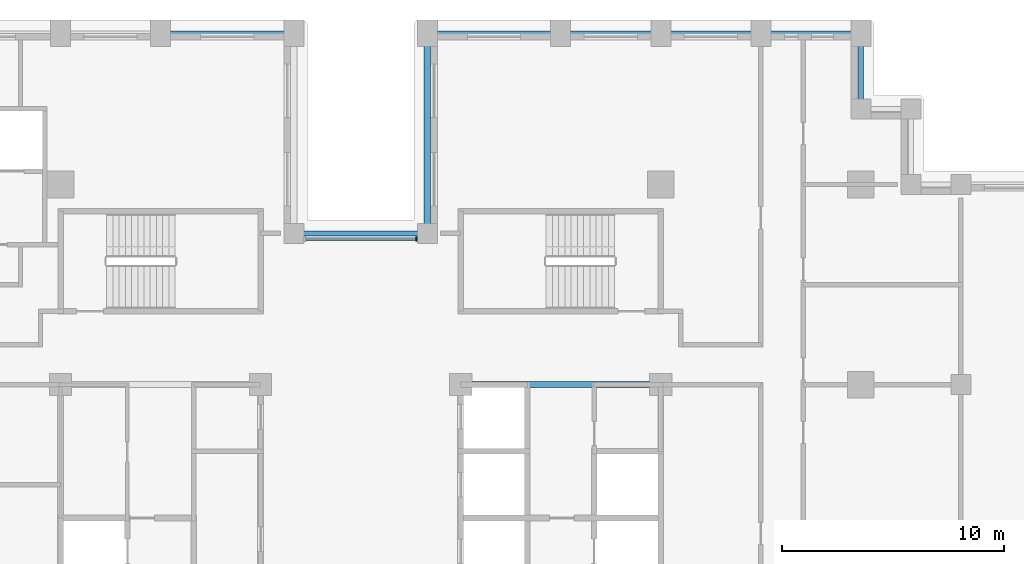
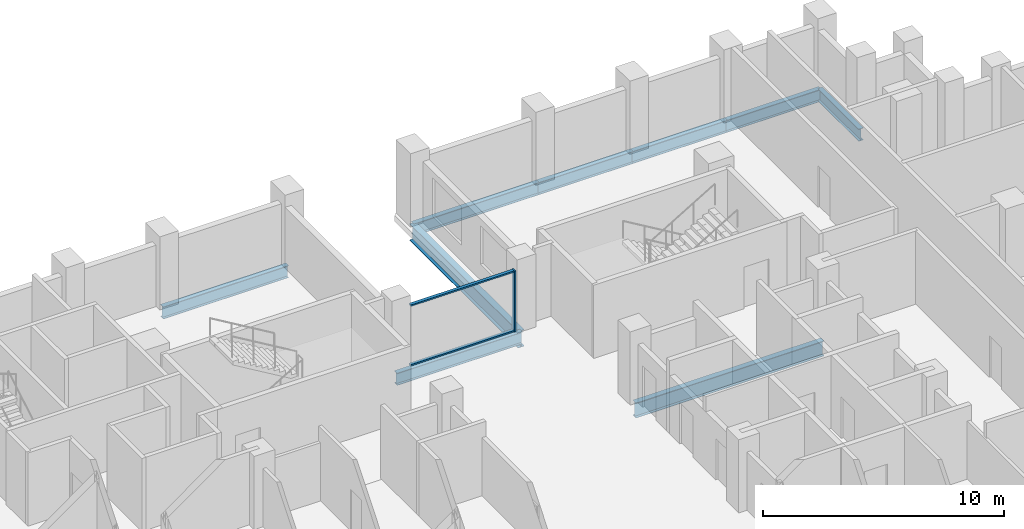
# One storey, part 4 of 15: 9 beams, 3 members, 1 element without a shape of its own.
"""IFC4 building model written with IfcOpenShell, lengths in metres."""

from ifc_helpers import new_model, si_unit, direction, frame, origin, origin_2d, place, context, subcontext, project, spatial, rectangle, i_section, extrude, material, layer, layer_set, material_profile, profile_set, type_object, element, aggregate, save


model = new_model("IFC4")

# Units and contexts
model_context = context("Model", 3, precision=1e-05, world=origin(), true_north=direction((0.0, 1.0)))
body_context = subcontext(model_context, "Body", "Model", "MODEL_VIEW")
ifc_project = project(units=[si_unit("LENGTHUNIT", "METRE"), si_unit("AREAUNIT", "SQUARE_METRE"), si_unit("VOLUMEUNIT", "CUBIC_METRE"), si_unit("PLANEANGLEUNIT", "RADIAN"), si_unit("MASSUNIT", "GRAM", prefix="KILO")], contexts=[model_context])

# Site, building, storey
site_placement = place(None, origin())
site = spatial("IfcSite", under=ifc_project, at=site_placement, CompositionType="ELEMENT")
building_placement = place(site_placement, origin())
building = spatial("IfcBuilding", under=site, at=building_placement, Name="Corbelhall Arena Tower", CompositionType="ELEMENT")
storey_placement = place(building_placement, frame((0.0, 0.0, 100.0)))
storey = spatial("IfcBuildingStorey", under=building, at=storey_placement, Name="L17", CompositionType="ELEMENT", Elevation=100.0)

# Curtain wall, members
ifc_material_1 = material(Name="Aluminium black anodised", Category="aluminium")
ifc_layer = layer(ifc_material_1, 0.199951171875)
ifc_layer_set = layer_set([ifc_layer], Name="EV-CW1 Slot back wall")
curtain_wall_type = type_object("IfcCurtainWallType", Name="EV-CW1 Slot back wall", PredefinedType="NOTDEFINED", material=ifc_layer_set)
curtain_wall_placement = place(storey_placement, origin())
curtain_wall = element("IfcCurtainWall", 1, at=curtain_wall_placement, inside=storey, type_object=curtain_wall_type, Name="Curtain wall CW1", PredefinedType="NOTDEFINED")
ifc_material_profile_1 = material_profile(ifc_material_1, rectangle(XDim=0.199951171875, YDim=0.074951171875, at=origin_2d()))
ifc_profile_set_1 = profile_set([ifc_material_profile_1], Name="Aluminium black anodised")
member_type_1 = type_object("IfcMemberType", Name="EV-CW1-MULLION", PredefinedType="MULLION", material=ifc_profile_set_1)
member_1_placement = place(storey_placement, frame((2.512451171875, 15.550048828125, 0.0), z_axis=(0.0, 0.0, 1.0), x_axis=(0.0, -1.0, 0.0)))
member_1 = element("IfcMember", 2, at=member_1_placement, type_object=member_type_1, Name="CW1 mullion 1", PredefinedType="MULLION", context=body_context, shape_type="SweptSolid", body=[
    extrude(rectangle(XDim=0.199951171875, YDim=0.074951171875, at=origin_2d()), origin(), (0.0, 0.0, 1.0), 3.10009765625),
])
ifc_material_profile_2 = material_profile(ifc_material_1, rectangle(XDim=0.14990234375, YDim=0.074951171875, at=origin_2d()))
ifc_profile_set_2 = profile_set([ifc_material_profile_2], Name="Aluminium black anodised")
member_type_2 = type_object("IfcMemberType", Name="EV-CW1-TRANSOM", PredefinedType="USERDEFINED", material=ifc_profile_set_2)
member_2_placement = place(storey_placement, frame((2.47509765625, 15.550048828125, 0.03759765625), z_axis=(-1.0, 0.0, 0.0), x_axis=(0.0, -1.0, 0.0)))
member_2 = element("IfcMember", 3, at=member_2_placement, type_object=member_type_2, Name="CW1 transom 1.1", ObjectType="transom", PredefinedType="USERDEFINED", context=body_context, shape_type="SweptSolid", body=[
    extrude(rectangle(XDim=0.14990234375, YDim=0.074951171875, at=origin_2d()), origin(), (0.0, 0.0, 1.0), 4.9501953125),
])
member_3_placement = place(storey_placement, frame((2.47509765625, 15.550048828125, 3.0625), z_axis=(-1.0, 0.0, 0.0), x_axis=(0.0, -1.0, 0.0)))
member_3 = element("IfcMember", 4, at=member_3_placement, type_object=member_type_2, Name="CW1 transom 1.2", ObjectType="transom", PredefinedType="USERDEFINED", context=body_context, shape_type="SweptSolid", body=[
    extrude(rectangle(XDim=0.14990234375, YDim=0.074951171875, at=origin_2d()), origin(), (0.0, 0.0, 1.0), 4.9501953125),
])
aggregate(curtain_wall, [member_1, member_2, member_3])

# Beams
ifc_material_2 = material(Name="Steel ASTM A992 Gr50", Category="steel")
ifc_material_profile_3 = material_profile(ifc_material_2, i_section(OverallWidth=0.2666015625, OverallDepth=0.761962890625, WebThickness=0.014404296875, FlangeThickness=0.021484375, at=origin_2d()))
ifc_profile_set_3 = profile_set([ifc_material_profile_3], Name="Steel ASTM A992 Gr50")
beam_type_1 = type_object("IfcBeamType", Name="ST-BEAM-W30x116", PredefinedType="BEAM", material=ifc_profile_set_3)
beam_1_placement = place(storey_placement, frame((4.5, 9.0, -0.680908203125), z_axis=(1.0, 0.0, 0.0), x_axis=(0.0, 1.0, 0.0)))
element("IfcBeam", 5, at=beam_1_placement, inside=storey, type_object=beam_type_1, Name="Beam CEE 12", PredefinedType="BEAM", context=body_context, shape_type="SweptSolid", body=[
    extrude(i_section(OverallWidth=0.2666015625, OverallDepth=0.761962890625, WebThickness=0.014404296875, FlangeThickness=0.021484375, at=origin_2d()), origin(), (0.0, 0.0, 1.0), 9.0),
])
ifc_material_profile_4 = material_profile(ifc_material_2, i_section(OverallWidth=0.23046875, OverallDepth=0.6171875, WebThickness=0.01318359375, FlangeThickness=0.022216796875, at=origin_2d()))
ifc_profile_set_4 = profile_set([ifc_material_profile_4], Name="Steel ASTM A992 Gr50")
beam_type_2 = type_object("IfcBeamType", Name="ST-SPANDREL-W24x94", PredefinedType="SPANDREL", material=ifc_profile_set_4)
beam_2_placement = place(storey_placement, frame((3.0, 24.800048828125, -0.608642578125), z_axis=(1.0, 0.0, 0.0), x_axis=(0.0, 1.0, 0.0)))
element("IfcBeam", 6, at=beam_2_placement, inside=storey, type_object=beam_type_2, Name="Beam SP 17", PredefinedType="SPANDREL", context=body_context, shape_type="SweptSolid", body=[
    extrude(i_section(OverallWidth=0.23046875, OverallDepth=0.6171875, WebThickness=0.01318359375, FlangeThickness=0.022216796875, at=origin_2d()), origin(), (0.0, 0.0, 1.0), 6.0),
])
for number, where, z_axis, x_axis, name in (
    (7, (9.0, 24.800048828125, -0.608642578125), (1.0, 0.0, 0.0), (0.0, 1.0, 0.0), "Beam SP 18"),
    (8, (13.5, 24.800048828125, -0.608642578125), (1.0, 0.0, 0.0), (0.0, 1.0, 0.0), "Beam SP 19"),
    (9, (18.0, 24.800048828125, -0.608642578125), (1.0, 0.0, 0.0), (0.0, 1.0, 0.0), "Beam SP 20"),
):
    element("IfcBeam", number, at=place(storey_placement, frame(where, z_axis=z_axis, x_axis=x_axis)), inside=storey, type_object=beam_type_2, Name=name, PredefinedType="SPANDREL", context=body_context, shape_type="SweptSolid", body=[
        extrude(i_section(OverallWidth=0.23046875, OverallDepth=0.6171875, WebThickness=0.01318359375, FlangeThickness=0.022216796875, at=origin_2d()), origin(), (0.0, 0.0, 1.0), 4.5),
    ])
beam_3_placement = place(storey_placement, frame((22.5, 24.800048828125, -0.608642578125), z_axis=(0.0, -1.0, 0.0), x_axis=(1.0, 0.0, 0.0)))
element("IfcBeam", 10, at=beam_3_placement, inside=storey, type_object=beam_type_2, Name="Beam SP 21", PredefinedType="SPANDREL", context=body_context, shape_type="SweptSolid", body=[
    extrude(i_section(OverallWidth=0.23046875, OverallDepth=0.6171875, WebThickness=0.01318359375, FlangeThickness=0.022216796875, at=origin_2d()), origin(), (0.0, 0.0, 1.0), 3.400146484375),
])
for number, where, z_axis, x_axis, name in (
    (11, (-9.0, 24.800048828125, -0.608642578125), (1.0, 0.0, 0.0), (0.0, 1.0, 0.0), "Beam SP 23"),
    (12, (-3.0, 15.800048828125, -0.608642578125), (1.0, 0.0, 0.0), (0.0, 1.0, 0.0), "Beam SP 40"),
):
    element("IfcBeam", number, at=place(storey_placement, frame(where, z_axis=z_axis, x_axis=x_axis)), inside=storey, type_object=beam_type_2, Name=name, PredefinedType="SPANDREL", context=body_context, shape_type="SweptSolid", body=[
        extrude(i_section(OverallWidth=0.23046875, OverallDepth=0.6171875, WebThickness=0.01318359375, FlangeThickness=0.022216796875, at=origin_2d()), origin(), (0.0, 0.0, 1.0), 6.0),
    ])
ifc_material_profile_5 = material_profile(ifc_material_2, i_section(OverallWidth=0.2919921875, OverallDepth=0.845703125, WebThickness=0.015380859375, FlangeThickness=0.0244140625, at=origin_2d()))
ifc_profile_set_5 = profile_set([ifc_material_profile_5], Name="Steel ASTM A992 Gr50")
beam_type_3 = type_object("IfcBeamType", Name="ST-SPANDREL-W33x141", PredefinedType="SPANDREL", material=ifc_profile_set_5)
beam_4_placement = place(storey_placement, frame((3.0, 15.800048828125, -0.722900390625), z_axis=(0.0, 1.0, 0.0), x_axis=(-1.0, 0.0, 0.0)))
element("IfcBeam", 13, at=beam_4_placement, inside=storey, type_object=beam_type_3, Name="Beam SP 39", PredefinedType="SPANDREL", context=body_context, shape_type="SweptSolid", body=[
    extrude(i_section(OverallWidth=0.2919921875, OverallDepth=0.845703125, WebThickness=0.015380859375, FlangeThickness=0.0244140625, at=origin_2d()), origin(), (0.0, 0.0, 1.0), 9.0),
])

save(model, "model.ifc")
